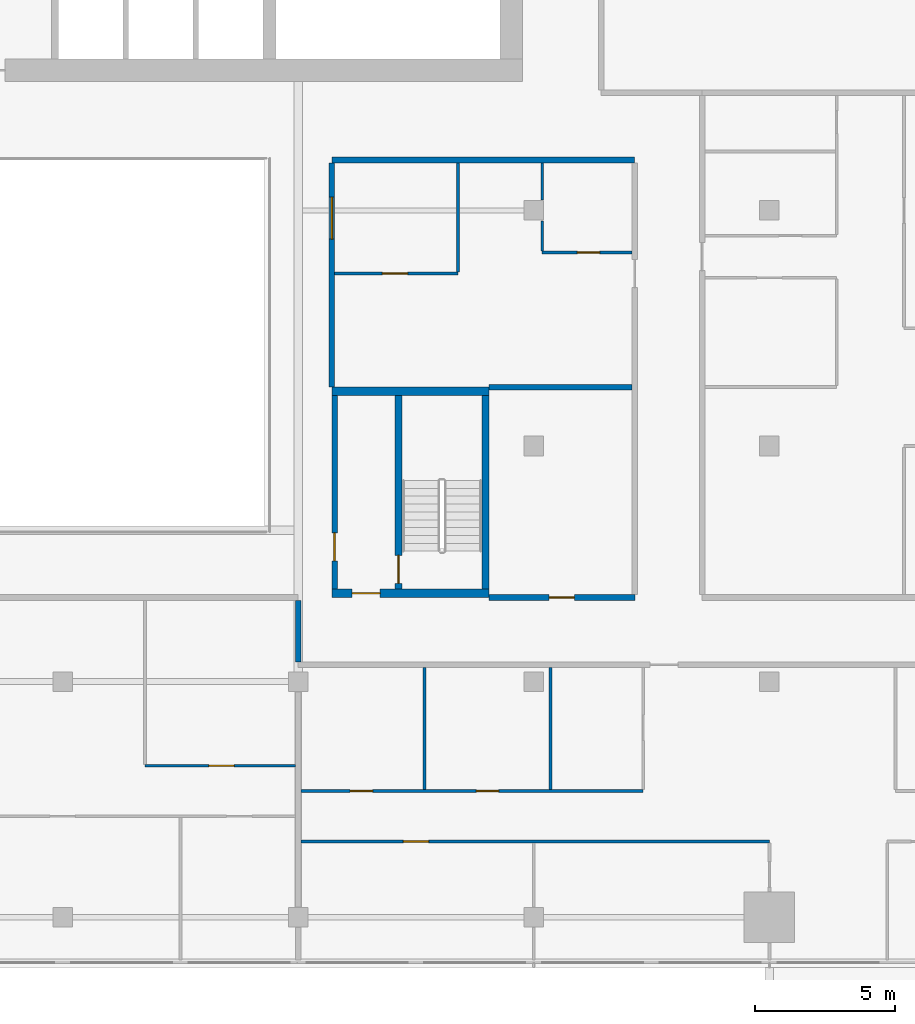
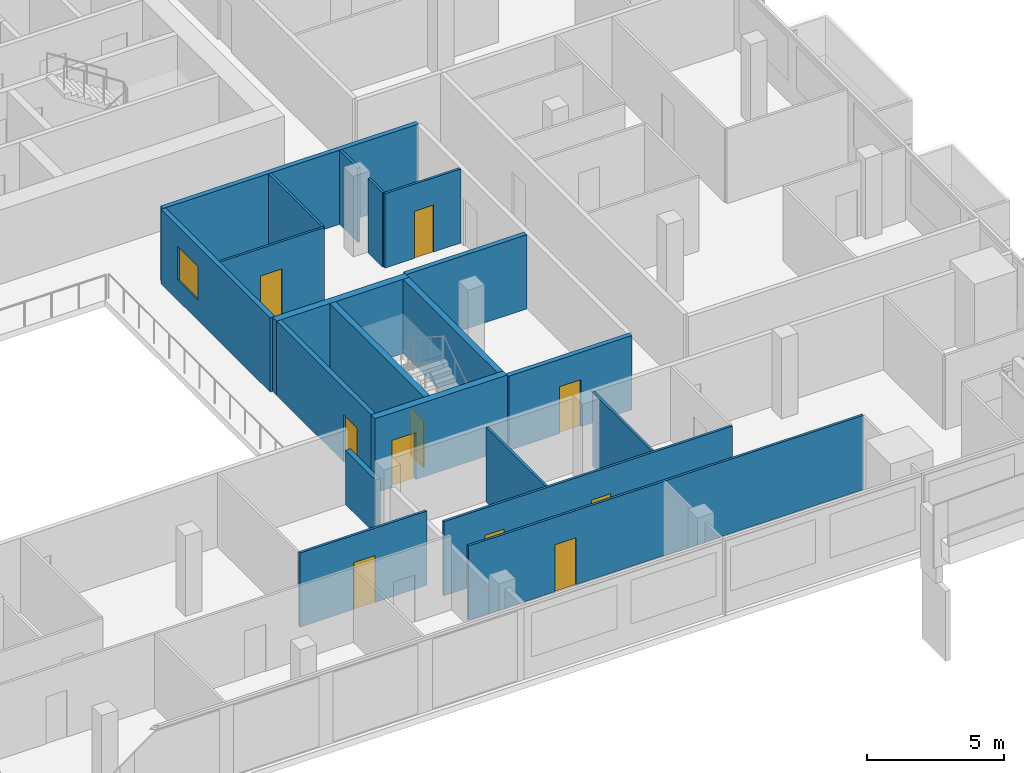
# One storey, part 19 of 30: 20 walls, 10 doors, 1 window, 11 openings.
"""IFC4 building model written with IfcOpenShell, lengths in metres."""

from ifc_helpers import new_model, si_unit, direction, frame, frame_2d, origin, place, context, subcontext, project, spatial, rectangle, extrude, material, layer, layer_set, type_object, element, fill, save


model = new_model("IFC4")

# Units and contexts
model_context = context("Model", 3, precision=1e-05, world=origin(), true_north=direction((0.0, 1.0)))
body_context = subcontext(model_context, "Body", "Model", "MODEL_VIEW")
ifc_project = project(units=[si_unit("LENGTHUNIT", "METRE"), si_unit("AREAUNIT", "SQUARE_METRE"), si_unit("VOLUMEUNIT", "CUBIC_METRE"), si_unit("PLANEANGLEUNIT", "RADIAN"), si_unit("MASSUNIT", "GRAM", prefix="KILO")], contexts=[model_context])

# Site, building, storey
site_placement = place(None, origin())
site = spatial("IfcSite", under=ifc_project, at=site_placement, CompositionType="ELEMENT")
building_placement = place(site_placement, origin())
building = spatial("IfcBuilding", under=site, at=building_placement, Name="Saffron Gate Tower", CompositionType="ELEMENT")
storey_placement = place(building_placement, frame((0.0, 0.0, 158.25)))
storey = spatial("IfcBuildingStorey", under=building, at=storey_placement, Name="L38", CompositionType="ELEMENT", Elevation=158.25)

# Wall, opening, door
ifc_material_1 = material(Name="Gypsum board partition on steel studs", Category="steel")
ifc_layer_1 = layer(ifc_material_1, 0.199951171875)
ifc_layer_set_1 = layer_set([ifc_layer_1], Name="CW10 Core partition 200")
wall_type_1 = type_object("IfcWallType", Name="CW10 Core partition 200", PredefinedType="PARTITIONING", material=ifc_layer_set_1)
wall_1_placement = place(storey_placement, frame((101.5, 43.5, 0.0), z_axis=(0.0, 0.0, 1.0), x_axis=(0.0, 1.0, 0.0)))
wall_1 = element("IfcWall", 1, at=wall_1_placement, inside=storey, type_object=wall_type_1, Name="Wall CW10-L38-E-2", PredefinedType="PARTITIONING", context=body_context, shape_type="SweptSolid", body=[
    extrude(rectangle(XDim=6.89990234375, YDim=0.199951171875, at=frame_2d((3.449951171875, 0.0))), origin(), (0.0, 0.0, 1.0), 3.320068359375),
])
opening_1_placement = place(wall_1_placement, frame((1.0, 0.0, 0.0)))
opening_1 = element("IfcOpeningElement", 2, at=opening_1_placement, cuts=wall_1, Name="Opening CR-22", PredefinedType="OPENING", context=body_context, shape_type="SweptSolid", body=[
    extrude(rectangle(XDim=1.0, YDim=2.10009765625, at=frame_2d((0.5, 1.050048828125))), frame((0.0, 0.10986328125, 0.0), z_axis=(0.0, -1.0, 0.0), x_axis=(1.0, 0.0, 0.0)), (0.0, 0.0, 1.0), 0.219970703125),
])
ifc_material_2 = material(Name="Steel fire door set", Category="steel")
door_type_1 = type_object("IfcDoorType", Name="CD4 Lobby door 1000x2100 EI 120", OperationType="NOTDEFINED", PredefinedType="DOOR", material=ifc_material_2)
door_1_placement = place(opening_1_placement, origin())
door_1 = element("IfcDoor", 3, at=door_1_placement, inside=storey, type_object=door_type_1, Name="DOOR CR-22", OperationType="SINGLE_SWING_LEFT", OverallHeight=2.10009765625, OverallWidth=1.0, PredefinedType="DOOR", context=body_context, shape_type="SweptSolid", body=[
    extrude(rectangle(XDim=1.0, YDim=2.10009765625, at=frame_2d((0.5, 1.050048828125))), frame((0.0, 0.02490234375, 0.0), z_axis=(0.0, -1.0, 0.0), x_axis=(1.0, 0.0, 0.0)), (0.0, 0.0, 1.0), 0.050048828125),
])
fill(opening_1, door_1)

ifc_material_3 = material(Name="Concrete C60", Category="concrete")
ifc_layer_2 = layer(ifc_material_3, 0.25)
ifc_layer_set_2 = layer_set([ifc_layer_2], Name="CW14 RC core wall 250 C60")
wall_type_2 = type_object("IfcWallType", Name="CW14 RC core wall 250 C60", PredefinedType="SOLIDWALL", material=ifc_layer_set_2)
wall_2_placement = place(storey_placement, frame((103.77490234375, 43.5, 0.0), z_axis=(0.0, 0.0, 1.0), x_axis=(0.0, 1.0, 0.0)))
wall_2 = element("IfcWall", 4, at=wall_2_placement, inside=storey, type_object=wall_type_2, Name="Wall CW14-L38-E-3", PredefinedType="SOLIDWALL", context=body_context, shape_type="SweptSolid", body=[
    extrude(rectangle(XDim=6.89990234375, YDim=0.25, at=frame_2d((3.449951171875, 0.0))), origin(), (0.0, 0.0, 1.0), 3.320068359375),
])
opening_2_placement = place(wall_2_placement, frame((0.199951171875, 0.0, 0.0)))
opening_2 = element("IfcOpeningElement", 5, at=opening_2_placement, cuts=wall_2, Name="Opening CR-23", PredefinedType="OPENING", context=body_context, shape_type="SweptSolid", body=[
    extrude(rectangle(XDim=1.0, YDim=2.10009765625, at=frame_2d((0.5, 1.050048828125))), frame((0.0, 0.135009765625, 0.0), z_axis=(0.0, -1.0, 0.0), x_axis=(1.0, 0.0, 0.0)), (0.0, 0.0, 1.0), 0.27001953125),
])
door_type_2 = type_object("IfcDoorType", Name="CD5 Stair door 1000x2100 EI 120", OperationType="NOTDEFINED", PredefinedType="DOOR", material=ifc_material_2)
door_2_placement = place(opening_2_placement, origin())
door_2 = element("IfcDoor", 6, at=door_2_placement, inside=storey, type_object=door_type_2, Name="DOOR CR-23", OperationType="SINGLE_SWING_RIGHT", OverallHeight=2.10009765625, OverallWidth=1.0, PredefinedType="DOOR", context=body_context, shape_type="SweptSolid", body=[
    extrude(rectangle(XDim=1.0, YDim=2.10009765625, at=frame_2d((0.5, 1.050048828125))), frame((0.0, 0.02490234375, 0.0), z_axis=(0.0, -1.0, 0.0), x_axis=(1.0, 0.0, 0.0)), (0.0, 0.0, 1.0), 0.050048828125),
])
fill(opening_2, door_2)

# Wall
wall_3_placement = place(storey_placement, frame((106.875, 43.5, 0.0), z_axis=(0.0, 0.0, 1.0), x_axis=(0.0, 1.0, 0.0)))
element("IfcWall", 7, at=wall_3_placement, inside=storey, type_object=wall_type_2, Name="Wall CW14-L38-E-4", PredefinedType="SOLIDWALL", context=body_context, shape_type="SweptSolid", body=[
    extrude(rectangle(XDim=6.89990234375, YDim=0.25, at=frame_2d((3.449951171875, 0.0))), origin(), (0.0, 0.0, 1.0), 3.320068359375),
])

# Wall, opening, door
ifc_layer_3 = layer(ifc_material_3, 0.300048828125)
ifc_layer_set_3 = layer_set([ifc_layer_3], Name="CW17 RC core wall 300 C60")
wall_type_3 = type_object("IfcWallType", Name="CW17 RC core wall 300 C60", PredefinedType="SOLIDWALL", material=ifc_layer_set_3)
wall_4_placement = place(storey_placement, frame((101.39990234375, 43.35009765625, 0.0), z_axis=(0.0, 0.0, 1.0), x_axis=(1.0, 0.0, 0.0)))
wall_4 = element("IfcWall", 8, at=wall_4_placement, inside=storey, type_object=wall_type_3, Name="Wall CW17-L38-E-1", PredefinedType="SOLIDWALL", context=body_context, shape_type="SweptSolid", body=[
    extrude(rectangle(XDim=5.60009765625, YDim=0.300048828125, at=frame_2d((2.800048828125, 0.0))), origin(), (0.0, 0.0, 1.0), 3.320068359375),
])
opening_3_placement = place(wall_4_placement, frame((0.72509765625, 0.0, 0.0)))
opening_3 = element("IfcOpeningElement", 9, at=opening_3_placement, cuts=wall_4, Name="Opening CR-21", PredefinedType="OPENING", context=body_context, shape_type="SweptSolid", body=[
    extrude(rectangle(XDim=1.0, YDim=2.10009765625, at=frame_2d((0.5, 1.050048828125))), frame((0.0, 0.16015625, 0.0), z_axis=(0.0, -1.0, 0.0), x_axis=(1.0, 0.0, 0.0)), (0.0, 0.0, 1.0), 0.320068359375),
])
door_3_placement = place(opening_3_placement, origin())
door_3 = element("IfcDoor", 10, at=door_3_placement, inside=storey, type_object=door_type_1, Name="DOOR CR-21", OperationType="SINGLE_SWING_RIGHT", OverallHeight=2.10009765625, OverallWidth=1.0, PredefinedType="DOOR", context=body_context, shape_type="SweptSolid", body=[
    extrude(rectangle(XDim=1.0, YDim=2.10009765625, at=frame_2d((0.5, 1.050048828125))), frame((0.0, 0.02490234375, 0.0), z_axis=(0.0, -1.0, 0.0), x_axis=(1.0, 0.0, 0.0)), (0.0, 0.0, 1.0), 0.050048828125),
])
fill(opening_3, door_3)

# Wall
wall_5_placement = place(storey_placement, frame((101.39990234375, 50.550048828125, 0.0), z_axis=(0.0, 0.0, 1.0), x_axis=(1.0, 0.0, 0.0)))
element("IfcWall", 11, at=wall_5_placement, inside=storey, type_object=wall_type_3, Name="Wall CW17-L38-E-5", PredefinedType="SOLIDWALL", context=body_context, shape_type="SweptSolid", body=[
    extrude(rectangle(XDim=5.60009765625, YDim=0.300048828125, at=frame_2d((2.800048828125, 0.0))), origin(), (0.0, 0.0, 1.0), 3.320068359375),
])

# Wall, opening, door
ifc_material_4 = material(Name="Plasterboard on steel studs", Category="steel")
ifc_layer_4 = layer(ifc_material_4, 0.10009765625)
ifc_layer_set_4 = layer_set([ifc_layer_4], Name="PW1 Partition 100")
wall_type_4 = type_object("IfcWallType", Name="PW1 Partition 100", PredefinedType="PARTITIONING", material=ifc_layer_set_4)
wall_6_placement = place(storey_placement, frame((117.0, 34.5, 0.0), z_axis=(0.0, 0.0, 1.0), x_axis=(-1.0, 0.0, 0.0)))
wall_6 = element("IfcWall", 12, at=wall_6_placement, inside=storey, type_object=wall_type_4, Name="Partition C2-3", PredefinedType="PARTITIONING", context=body_context, shape_type="SweptSolid", body=[
    extrude(rectangle(XDim=16.699951171875, YDim=0.10009765625, at=frame_2d((8.35009765625, 0.0))), origin(), (0.0, 0.0, 1.0), 3.320068359375),
])
opening_4_placement = place(wall_6_placement, frame((12.14990234375, 0.0, 0.0)))
opening_4 = element("IfcOpeningElement", 13, at=opening_4_placement, cuts=wall_6, Name="Opening C2-20", PredefinedType="OPENING", context=body_context, shape_type="SweptSolid", body=[
    extrude(rectangle(XDim=0.89990234375, YDim=2.10009765625, at=frame_2d((0.449951171875, 1.050048828125))), frame((0.0, 0.06005859375, 0.0), z_axis=(0.0, -1.0, 0.0), x_axis=(1.0, 0.0, 0.0)), (0.0, 0.0, 1.0), 0.1201171875),
])
ifc_material_5 = material(Name="Timber door set", Category="wood")
door_type_3 = type_object("IfcDoorType", Name="RD1 Room door 900x2100", OperationType="NOTDEFINED", PredefinedType="DOOR", material=ifc_material_5)
door_4_placement = place(opening_4_placement, origin())
door_4 = element("IfcDoor", 14, at=door_4_placement, inside=storey, type_object=door_type_3, Name="Door C2-20", OperationType="SINGLE_SWING_RIGHT", OverallHeight=2.10009765625, OverallWidth=0.89990234375, PredefinedType="DOOR", context=body_context, shape_type="SweptSolid", body=[
    extrude(rectangle(XDim=0.89990234375, YDim=2.10009765625, at=frame_2d((0.449951171875, 1.050048828125))), frame((0.0, 0.02490234375, 0.0), z_axis=(0.0, -1.0, 0.0), x_axis=(1.0, 0.0, 0.0)), (0.0, 0.0, 1.0), 0.050048828125),
])
fill(opening_4, door_4)

# Wall, openings, doors
wall_7_placement = place(storey_placement, frame((100.300048828125, 36.300048828125, 0.0), z_axis=(0.0, 0.0, 1.0), x_axis=(1.0, 0.0, 0.0)))
wall_7 = element("IfcWall", 15, at=wall_7_placement, inside=storey, type_object=wall_type_4, Name="Partition C2-8", PredefinedType="PARTITIONING", context=body_context, shape_type="SweptSolid", body=[
    extrude(rectangle(XDim=12.199951171875, YDim=0.10009765625, at=frame_2d((6.10009765625, 0.0))), origin(), (0.0, 0.0, 1.0), 3.320068359375),
])
opening_5_placement = place(wall_7_placement, frame((1.75, 0.0, 0.0)))
opening_5 = element("IfcOpeningElement", 16, at=opening_5_placement, cuts=wall_7, Name="Opening C2-43", PredefinedType="OPENING", context=body_context, shape_type="SweptSolid", body=[
    extrude(rectangle(XDim=0.800048828125, YDim=2.10009765625, at=frame_2d((0.39990234375, 1.050048828125))), frame((0.0, 0.06005859375, 0.0), z_axis=(0.0, -1.0, 0.0), x_axis=(1.0, 0.0, 0.0)), (0.0, 0.0, 1.0), 0.1201171875),
])
opening_6_placement = place(wall_7_placement, frame((6.25, 0.0, 0.0)))
opening_6 = element("IfcOpeningElement", 17, at=opening_6_placement, cuts=wall_7, Name="Opening C2-44", PredefinedType="OPENING", context=body_context, shape_type="SweptSolid", body=[
    extrude(rectangle(XDim=0.800048828125, YDim=2.10009765625, at=frame_2d((0.39990234375, 1.050048828125))), frame((0.0, 0.06005859375, 0.0), z_axis=(0.0, -1.0, 0.0), x_axis=(1.0, 0.0, 0.0)), (0.0, 0.0, 1.0), 0.1201171875),
])
door_type_4 = type_object("IfcDoorType", Name="RD2 Bathroom door 800x2100", OperationType="NOTDEFINED", PredefinedType="DOOR", material=ifc_material_5)
door_5_placement = place(opening_5_placement, origin())
door_5 = element("IfcDoor", 18, at=door_5_placement, inside=storey, type_object=door_type_4, Name="Door C2-43", OperationType="SINGLE_SWING_LEFT", OverallHeight=2.10009765625, OverallWidth=0.800048828125, PredefinedType="DOOR", context=body_context, shape_type="SweptSolid", body=[
    extrude(rectangle(XDim=0.800048828125, YDim=2.10009765625, at=frame_2d((0.39990234375, 1.050048828125))), frame((0.0, 0.02490234375, 0.0), z_axis=(0.0, -1.0, 0.0), x_axis=(1.0, 0.0, 0.0)), (0.0, 0.0, 1.0), 0.050048828125),
])
fill(opening_5, door_5)
door_6_placement = place(opening_6_placement, origin())
door_6 = element("IfcDoor", 19, at=door_6_placement, inside=storey, type_object=door_type_4, Name="Door C2-44", OperationType="SINGLE_SWING_RIGHT", OverallHeight=2.10009765625, OverallWidth=0.800048828125, PredefinedType="DOOR", context=body_context, shape_type="SweptSolid", body=[
    extrude(rectangle(XDim=0.800048828125, YDim=2.10009765625, at=frame_2d((0.39990234375, 1.050048828125))), frame((0.0, 0.02490234375, 0.0), z_axis=(0.0, -1.0, 0.0), x_axis=(1.0, 0.0, 0.0)), (0.0, 0.0, 1.0), 0.050048828125),
])
fill(opening_6, door_6)

# Wall, opening, door
wall_8_placement = place(storey_placement, frame((94.7333984375, 37.199951171875, 0.0), z_axis=(0.0, 0.0, 1.0), x_axis=(1.0, 0.0, 0.0)))
wall_8 = element("IfcWall", 20, at=wall_8_placement, inside=storey, type_object=wall_type_4, Name="Partition C2-11", PredefinedType="PARTITIONING", context=body_context, shape_type="SweptSolid", body=[
    extrude(rectangle(XDim=5.36669921875, YDim=0.10009765625, at=frame_2d((2.683349609375, 0.0))), origin(), (0.0, 0.0, 1.0), 3.320068359375),
])
opening_7_placement = place(wall_8_placement, frame((2.283447265625, 0.0, 0.0)))
opening_7 = element("IfcOpeningElement", 21, at=opening_7_placement, cuts=wall_8, Name="Opening C2-18", PredefinedType="OPENING", context=body_context, shape_type="SweptSolid", body=[
    extrude(rectangle(XDim=0.89990234375, YDim=2.10009765625, at=frame_2d((0.449951171875, 1.050048828125))), frame((0.0, 0.06005859375, 0.0), z_axis=(0.0, -1.0, 0.0), x_axis=(1.0, 0.0, 0.0)), (0.0, 0.0, 1.0), 0.1201171875),
])
door_7_placement = place(opening_7_placement, origin())
door_7 = element("IfcDoor", 22, at=door_7_placement, inside=storey, type_object=door_type_3, Name="Door C2-18", OperationType="SINGLE_SWING_RIGHT", OverallHeight=2.10009765625, OverallWidth=0.89990234375, PredefinedType="DOOR", context=body_context, shape_type="SweptSolid", body=[
    extrude(rectangle(XDim=0.89990234375, YDim=2.10009765625, at=frame_2d((0.449951171875, 1.050048828125))), frame((0.0, 0.02490234375, 0.0), z_axis=(0.0, -1.0, 0.0), x_axis=(1.0, 0.0, 0.0)), (0.0, 0.0, 1.0), 0.050048828125),
])
fill(opening_7, door_7)

wall_9_placement = place(storey_placement, frame((101.5, 54.75, 0.0), z_axis=(0.0, 0.0, 1.0), x_axis=(1.0, 0.0, 0.0)))
wall_9 = element("IfcWall", 23, at=wall_9_placement, inside=storey, type_object=wall_type_4, Name="Partition C2-33", PredefinedType="PARTITIONING", context=body_context, shape_type="SweptSolid", body=[
    extrude(rectangle(XDim=4.39990234375, YDim=0.10009765625, at=frame_2d((2.199951171875, 0.0))), origin(), (0.0, 0.0, 1.0), 3.320068359375),
])
opening_8_placement = place(wall_9_placement, frame((1.699951171875, 0.0, 0.0)))
opening_8 = element("IfcOpeningElement", 24, at=opening_8_placement, cuts=wall_9, Name="Opening C2-38", PredefinedType="OPENING", context=body_context, shape_type="SweptSolid", body=[
    extrude(rectangle(XDim=0.89990234375, YDim=2.10009765625, at=frame_2d((0.449951171875, 1.050048828125))), frame((0.0, 0.06005859375, 0.0), z_axis=(0.0, -1.0, 0.0), x_axis=(1.0, 0.0, 0.0)), (0.0, 0.0, 1.0), 0.1201171875),
])
door_8_placement = place(opening_8_placement, origin())
door_8 = element("IfcDoor", 25, at=door_8_placement, inside=storey, type_object=door_type_3, Name="Door C2-38", OperationType="SINGLE_SWING_LEFT", OverallHeight=2.10009765625, OverallWidth=0.89990234375, PredefinedType="DOOR", context=body_context, shape_type="SweptSolid", body=[
    extrude(rectangle(XDim=0.89990234375, YDim=2.10009765625, at=frame_2d((0.449951171875, 1.050048828125))), frame((0.0, 0.02490234375, 0.0), z_axis=(0.0, -1.0, 0.0), x_axis=(1.0, 0.0, 0.0)), (0.0, 0.0, 1.0), 0.050048828125),
])
fill(opening_8, door_8)

wall_10_placement = place(storey_placement, frame((108.89990234375, 55.5, 0.0), z_axis=(0.0, 0.0, 1.0), x_axis=(1.0, 0.0, 0.0)))
wall_10 = element("IfcWall", 26, at=wall_10_placement, inside=storey, type_object=wall_type_4, Name="Partition C2-34", PredefinedType="PARTITIONING", context=body_context, shape_type="SweptSolid", body=[
    extrude(rectangle(XDim=3.2001953125, YDim=0.10009765625, at=frame_2d((1.60009765625, 0.0))), origin(), (0.0, 0.0, 1.0), 3.320068359375),
])
opening_9_placement = place(wall_10_placement, frame((1.25, 0.0, 0.0)))
opening_9 = element("IfcOpeningElement", 27, at=opening_9_placement, cuts=wall_10, Name="Opening C2-53", PredefinedType="OPENING", context=body_context, shape_type="SweptSolid", body=[
    extrude(rectangle(XDim=0.800048828125, YDim=2.10009765625, at=frame_2d((0.39990234375, 1.050048828125))), frame((0.0, 0.06005859375, 0.0), z_axis=(0.0, -1.0, 0.0), x_axis=(1.0, 0.0, 0.0)), (0.0, 0.0, 1.0), 0.1201171875),
])
door_9_placement = place(opening_9_placement, origin())
door_9 = element("IfcDoor", 28, at=door_9_placement, inside=storey, type_object=door_type_4, Name="Door C2-53", OperationType="SINGLE_SWING_RIGHT", OverallHeight=2.10009765625, OverallWidth=0.800048828125, PredefinedType="DOOR", context=body_context, shape_type="SweptSolid", body=[
    extrude(rectangle(XDim=0.800048828125, YDim=2.10009765625, at=frame_2d((0.39990234375, 1.050048828125))), frame((0.0, 0.02490234375, 0.0), z_axis=(0.0, -1.0, 0.0), x_axis=(1.0, 0.0, 0.0)), (0.0, 0.0, 1.0), 0.050048828125),
])
fill(opening_9, door_9)

# Walls
wall_11_placement = place(storey_placement, frame((104.699951171875, 40.699951171875, 0.0), z_axis=(0.0, 0.0, 1.0), x_axis=(0.0, -1.0, 0.0)))
element("IfcWall", 29, at=wall_11_placement, inside=storey, type_object=wall_type_4, Name="Partition C2-97", PredefinedType="PARTITIONING", context=body_context, shape_type="SweptSolid", body=[
    extrude(rectangle(XDim=4.349853515625, YDim=0.10009765625, at=frame_2d((2.1748046875, 0.0))), origin(), (0.0, 0.0, 1.0), 3.320068359375),
])
wall_12_placement = place(storey_placement, frame((105.89990234375, 58.699951171875, 0.0), z_axis=(0.0, 0.0, 1.0), x_axis=(0.0, -1.0, 0.0)))
element("IfcWall", 30, at=wall_12_placement, inside=storey, type_object=wall_type_4, Name="Partition C2-98", PredefinedType="PARTITIONING", context=body_context, shape_type="SweptSolid", body=[
    extrude(rectangle(XDim=3.89990234375, YDim=0.10009765625, at=frame_2d((1.949951171875, 0.0))), origin(), (0.0, 0.0, 1.0), 3.320068359375),
])
wall_13_placement = place(storey_placement, frame((108.89990234375, 56.6298828125, 0.0), z_axis=(0.0, 0.0, 1.0), x_axis=(0.0, -1.0, 0.0)))
element("IfcWall", 31, at=wall_13_placement, inside=storey, type_object=wall_type_4, Name="Partition C2-101", PredefinedType="PARTITIONING", context=body_context, shape_type="SweptSolid", body=[
    extrude(rectangle(XDim=1.079833984375, YDim=0.10009765625, at=frame_2d((0.5400390625, 0.0))), origin(), (0.0, 0.0, 1.0), 3.320068359375),
])
wall_14_placement = place(storey_placement, frame((108.89990234375, 58.699951171875, 0.0), z_axis=(0.0, 0.0, 1.0), x_axis=(0.0, -1.0, 0.0)))
element("IfcWall", 32, at=wall_14_placement, inside=storey, type_object=wall_type_4, Name="Partition C2-102", PredefinedType="PARTITIONING", context=body_context, shape_type="SweptSolid", body=[
    extrude(rectangle(XDim=1.329833984375, YDim=0.10009765625, at=frame_2d((0.6650390625, 0.0))), origin(), (0.0, 0.0, 1.0), 3.320068359375),
])
wall_15_placement = place(storey_placement, frame((109.199951171875, 40.699951171875, 0.0), z_axis=(0.0, 0.0, 1.0), x_axis=(0.0, -1.0, 0.0)))
element("IfcWall", 33, at=wall_15_placement, inside=storey, type_object=wall_type_4, Name="Partition C2-103", PredefinedType="PARTITIONING", context=body_context, shape_type="SweptSolid", body=[
    extrude(rectangle(XDim=4.349853515625, YDim=0.10009765625, at=frame_2d((2.1748046875, 0.0))), origin(), (0.0, 0.0, 1.0), 3.320068359375),
])
ifc_material_6 = material(Name="Clay brick masonry, rendered", Category="masonry")
ifc_layer_5 = layer(ifc_material_6, 0.199951171875)
ifc_layer_set_5 = layer_set([ifc_layer_5], Name="PW2 Demising wall 200")
wall_type_5 = type_object("IfcWallType", Name="PW2 Demising wall 200", PredefinedType="PARTITIONING", material=ifc_layer_set_5)
wall_16_placement = place(storey_placement, frame((107.0, 50.699951171875, 0.0), z_axis=(0.0, 0.0, 1.0), x_axis=(1.0, 0.0, 0.0)))
element("IfcWall", 34, at=wall_16_placement, inside=storey, type_object=wall_type_5, Name="Wall C2-27", PredefinedType="PARTITIONING", context=body_context, shape_type="SweptSolid", body=[
    extrude(rectangle(XDim=5.10009765625, YDim=0.199951171875, at=frame_2d((2.550048828125, 0.0))), origin(), (0.0, 0.0, 1.0), 3.320068359375),
])

# Wall, opening, door
ifc_layer_6 = layer(ifc_material_6, 0.199951171875)
ifc_layer_set_6 = layer_set([ifc_layer_6], Name="PW3 Corridor wall 200")
wall_type_6 = type_object("IfcWallType", Name="PW3 Corridor wall 200", PredefinedType="PARTITIONING", material=ifc_layer_set_6)
wall_17_placement = place(storey_placement, frame((107.0, 43.199951171875, 0.0), z_axis=(0.0, 0.0, 1.0), x_axis=(1.0, 0.0, 0.0)))
wall_17 = element("IfcWall", 35, at=wall_17_placement, inside=storey, type_object=wall_type_6, Name="Wall C2-19", PredefinedType="PARTITIONING", context=body_context, shape_type="SweptSolid", body=[
    extrude(rectangle(XDim=5.199951171875, YDim=0.199951171875, at=frame_2d((2.60009765625, 0.0))), origin(), (0.0, 0.0, 1.0), 3.320068359375),
])
opening_10_placement = place(wall_17_placement, frame((2.14990234375, 0.0, 0.0)))
opening_10 = element("IfcOpeningElement", 36, at=opening_10_placement, cuts=wall_17, Name="Opening C2-54", PredefinedType="OPENING", context=body_context, shape_type="SweptSolid", body=[
    extrude(rectangle(XDim=0.89990234375, YDim=2.10009765625, at=frame_2d((0.449951171875, 1.050048828125))), frame((0.0, 0.10986328125, 0.0), z_axis=(0.0, -1.0, 0.0), x_axis=(1.0, 0.0, 0.0)), (0.0, 0.0, 1.0), 0.219970703125),
])
door_type_5 = type_object("IfcDoorType", Name="SD1 Service door 900x2100", OperationType="NOTDEFINED", PredefinedType="DOOR", material=ifc_material_2)
door_10_placement = place(opening_10_placement, origin())
door_10 = element("IfcDoor", 37, at=door_10_placement, inside=storey, type_object=door_type_5, Name="Door C2-54", OperationType="SINGLE_SWING_LEFT", OverallHeight=2.10009765625, OverallWidth=0.89990234375, PredefinedType="DOOR", context=body_context, shape_type="SweptSolid", body=[
    extrude(rectangle(XDim=0.89990234375, YDim=2.10009765625, at=frame_2d((0.449951171875, 1.050048828125))), frame((0.0, 0.02490234375, 0.0), z_axis=(0.0, -1.0, 0.0), x_axis=(1.0, 0.0, 0.0)), (0.0, 0.0, 1.0), 0.050048828125),
])
fill(opening_10, door_10)

# Walls
wall_18_placement = place(storey_placement, frame((101.39990234375, 58.800048828125, 0.0), z_axis=(0.0, 0.0, 1.0), x_axis=(1.0, 0.0, 0.0)))
element("IfcWall", 38, at=wall_18_placement, inside=storey, type_object=wall_type_6, Name="Wall C2-40", PredefinedType="PARTITIONING", context=body_context, shape_type="SweptSolid", body=[
    extrude(rectangle(XDim=10.800048828125, YDim=0.199951171875, at=frame_2d((5.39990234375, 0.0))), origin(), (0.0, 0.0, 1.0), 3.320068359375),
])
wall_19_placement = place(storey_placement, frame((100.199951171875, 43.10009765625, 0.0), z_axis=(0.0, 0.0, 1.0), x_axis=(0.0, -1.0, 0.0)))
element("IfcWall", 39, at=wall_19_placement, inside=storey, type_object=wall_type_6, Name="Wall C2-93", PredefinedType="PARTITIONING", context=body_context, shape_type="SweptSolid", body=[
    extrude(rectangle(XDim=2.2001953125, YDim=0.199951171875, at=frame_2d((1.10009765625, 0.0))), origin(), (0.0, 0.0, 1.0), 2.429931640625),
])

# Wall, opening, window
wall_20_placement = place(storey_placement, frame((101.39990234375, 58.699951171875, 0.0), z_axis=(0.0, 0.0, 1.0), x_axis=(0.0, -1.0, 0.0)))
wall_20 = element("IfcWall", 40, at=wall_20_placement, inside=storey, type_object=wall_type_6, Name="Wall C2-96", PredefinedType="PARTITIONING", context=body_context, shape_type="SweptSolid", body=[
    extrude(rectangle(XDim=8.0, YDim=0.199951171875, at=frame_2d((4.0, 0.0))), origin(), (0.0, 0.0, 1.0), 3.320068359375),
])
opening_11_placement = place(wall_20_placement, frame((1.22509765625, 0.0, 0.89990234375)))
opening_11 = element("IfcOpeningElement", 41, at=opening_11_placement, cuts=wall_20, Name="Opening GW1", PredefinedType="OPENING", context=body_context, shape_type="SweptSolid", body=[
    extrude(rectangle(XDim=1.5, YDim=1.5, at=frame_2d((0.75, 0.75))), frame((0.0, 0.10986328125, 0.0), z_axis=(0.0, -1.0, 0.0), x_axis=(1.0, 0.0, 0.0)), (0.0, 0.0, 1.0), 0.219970703125),
])
ifc_material_7 = material(Name="Fire-resisting laminated glass in steel frame", Category="steel")
ifc_layer_7 = layer(ifc_material_7, 0.06005859375)
ifc_layer_set_7 = layer_set([ifc_layer_7], Name="GW1 Gallery window 1500x1500")
window_type = type_object("IfcWindowType", Name="GW1 Gallery window 1500x1500", PartitioningType="SINGLE_PANEL", PredefinedType="WINDOW", material=ifc_layer_set_7)
window_placement = place(opening_11_placement, origin())
window = element("IfcWindow", 42, at=window_placement, inside=storey, type_object=window_type, Name="GW1 window C2-J-B1", OverallHeight=1.5, OverallWidth=1.5, PartitioningType="SINGLE_PANEL", PredefinedType="WINDOW", context=body_context, shape_type="SweptSolid", body=[
    extrude(rectangle(XDim=1.5, YDim=1.5, at=frame_2d((0.75, 0.75))), frame((0.0, 0.030029296875, 0.0), z_axis=(0.0, -1.0, 0.0), x_axis=(1.0, 0.0, 0.0)), (0.0, 0.0, 1.0), 0.06005859375),
])
fill(opening_11, window)

save(model, "model.ifc")
